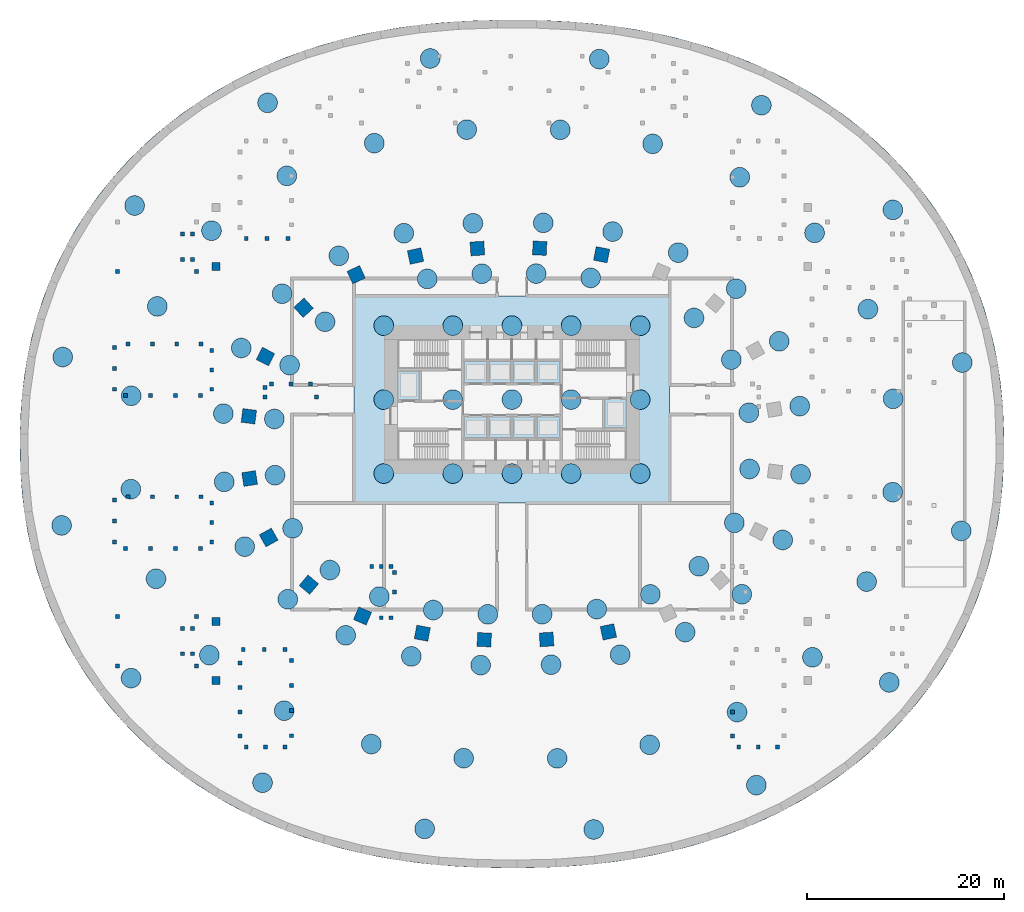
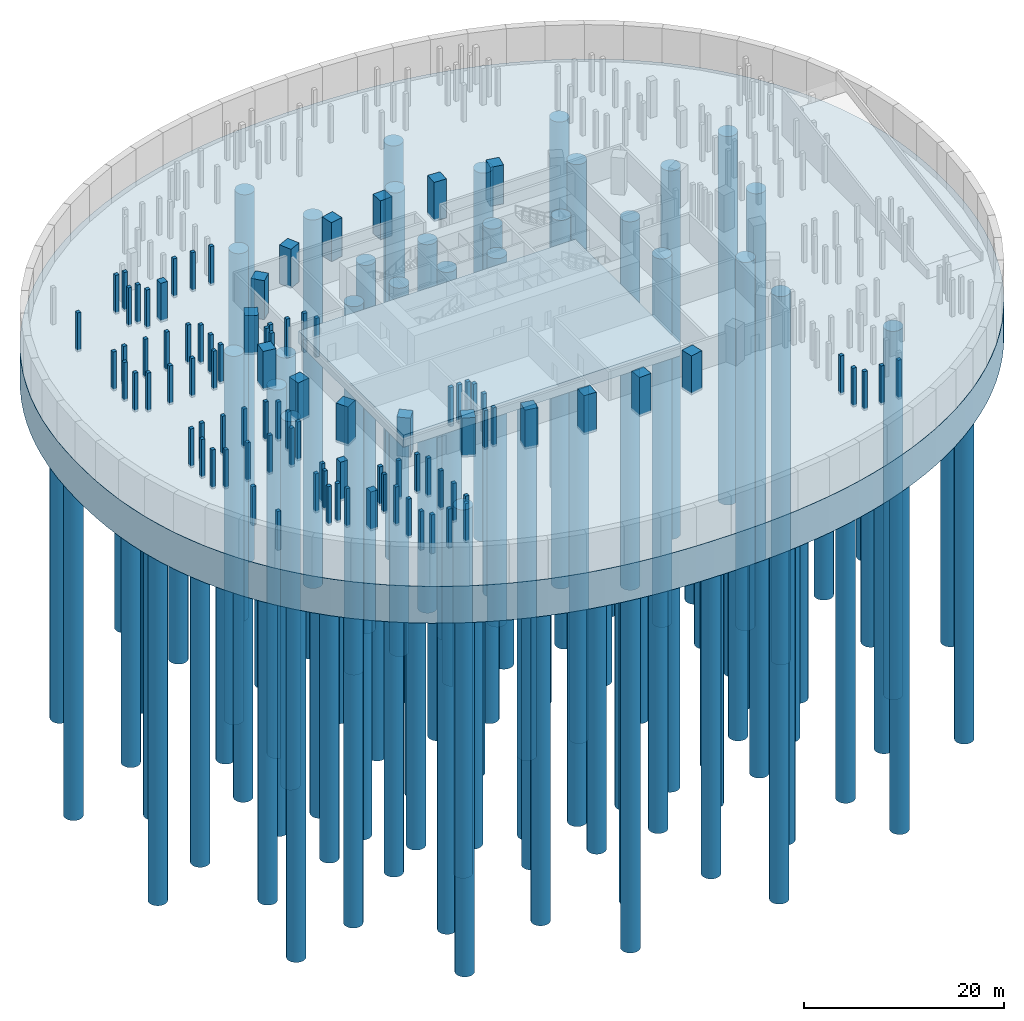
# One storey, part 1 of 10: 101 piles, 96 columns, 2 footings.
"""IFC4 building model written with IfcOpenShell, lengths in metres."""

from ifc_helpers import new_model, si_unit, direction, frame, origin, origin_2d, place, context, subcontext, project, spatial, polyline, rectangle, circle, outline, extrude, material, layer, layer_set, material_profile, profile_set, type_object, element, save


model = new_model("IFC4")

# Units and contexts
model_context = context("Model", 3, precision=1e-05, world=origin(), true_north=direction((0.0, 1.0)))
body_context = subcontext(model_context, "Body", "Model", "MODEL_VIEW")
ifc_project = project(units=[si_unit("LENGTHUNIT", "METRE"), si_unit("AREAUNIT", "SQUARE_METRE"), si_unit("VOLUMEUNIT", "CUBIC_METRE"), si_unit("PLANEANGLEUNIT", "RADIAN"), si_unit("MASSUNIT", "GRAM", prefix="KILO")], contexts=[model_context])

# Site, building, storey
site_placement = place(None, origin())
site = spatial("IfcSite", under=ifc_project, at=site_placement, CompositionType="ELEMENT")
building_placement = place(site_placement, origin())
building = spatial("IfcBuilding", under=site, at=building_placement, Name="Rubra Terraces Tower", CompositionType="ELEMENT")
storey_placement = place(building_placement, frame((0.0, 0.0, -15.0)))
storey = spatial("IfcBuildingStorey", under=building, at=storey_placement, Name="B3", CompositionType="ELEMENT", Elevation=-15.0)

# Piles
ifc_material_1 = material(Name="Concrete C40", Category="concrete")
ifc_material_profile_1 = material_profile(ifc_material_1, circle(Radius=1.0, at=origin_2d()), Name="BORED PILE D2000")
ifc_profile_set_1 = profile_set([ifc_material_profile_1], Name="Concrete C40")
pile_type = type_object("IfcPileType", Name="BORED PILE D2000", PredefinedType="BORED", material=ifc_profile_set_1)
for number, where, z_axis, x_axis, name in (
    (1, (-13.0, -3.0, -6.25), (0.0, 0.0, -1.0), (1.0, 0.0, 0.0), "pile-001"),
    (2, (-13.0, 4.5, -6.25), (0.0, 0.0, -1.0), (1.0, 0.0, 0.0), "pile-002"),
    (3, (-13.0, 12.0, -6.25), (0.0, 0.0, -1.0), (1.0, 0.0, 0.0), "pile-003"),
    (4, (-6.0, -3.0, -6.25), (0.0, 0.0, -1.0), (1.0, 0.0, 0.0), "pile-004"),
    (5, (-6.0, 4.5, -6.25), (0.0, 0.0, -1.0), (1.0, 0.0, 0.0), "pile-005"),
    (6, (-6.0, 12.0, -6.25), (0.0, 0.0, -1.0), (1.0, 0.0, 0.0), "pile-006"),
    (7, (0.0, -3.0, -6.25), (0.0, 0.0, -1.0), (1.0, 0.0, 0.0), "pile-007"),
    (8, (0.0, 4.5, -6.25), (0.0, 0.0, -1.0), (1.0, 0.0, 0.0), "pile-008"),
    (9, (0.0, 12.0, -6.25), (0.0, 0.0, -1.0), (1.0, 0.0, 0.0), "pile-009"),
    (10, (6.0, -3.0, -6.25), (0.0, 0.0, -1.0), (1.0, 0.0, 0.0), "pile-010"),
    (11, (6.0, 4.5, -6.25), (0.0, 0.0, -1.0), (1.0, 0.0, 0.0), "pile-011"),
    (12, (6.0, 12.0, -6.25), (0.0, 0.0, -1.0), (1.0, 0.0, 0.0), "pile-012"),
    (13, (13.0, -3.0, -6.25), (0.0, 0.0, -1.0), (1.0, 0.0, 0.0), "pile-013"),
    (14, (13.0, 4.5, -6.25), (0.0, 0.0, -1.0), (1.0, 0.0, 0.0), "pile-014"),
    (15, (13.0, 12.0, -6.25), (0.0, 0.0, -1.0), (1.0, 0.0, 0.0), "pile-015"),
    (16, (24.027099609375, 3.1640625, -4.75), (0.0, 0.0, -1.0), (1.0, 0.0, 0.0), "pile-016"),
    (17, (29.18310546875, 3.842041015625, -4.75), (0.0, 0.0, -1.0), (1.0, 0.0, 0.0), "pile-017"),
    (18, (22.2490234375, 8.550048828125, -4.75), (0.0, 0.0, -1.0), (1.0, 0.0, 0.0), "pile-018"),
    (19, (27.10302734375, 10.416015625, -4.75), (0.0, 0.0, -1.0), (1.0, 0.0, 0.0), "pile-019"),
    (20, (18.462890625, 12.785888671875, -4.75), (0.0, 0.0, -1.0), (1.0, 0.0, 0.0), "pile-020"),
    (21, (22.737060546875, 15.74609375, -4.75), (0.0, 0.0, -1.0), (1.0, 0.0, 0.0), "pile-021"),
    (22, (16.862060546875, 19.403076171875, -4.75), (0.0, 0.0, -1.0), (1.0, 0.0, 0.0), "pile-022"),
    (23, (7.98095703125, 16.842041015625, -4.75), (0.0, 0.0, -1.0), (1.0, 0.0, 0.0), "pile-023"),
    (24, (10.20703125, 21.5419921875, -4.75), (0.0, 0.0, -1.0), (1.0, 0.0, 0.0), "pile-024"),
    (25, (2.447021484375, 17.280029296875, -4.75), (0.0, 0.0, -1.0), (1.0, 0.0, 0.0), "pile-025"),
    (26, (3.175048828125, 22.427978515625, -4.75), (0.0, 0.0, -1.0), (1.0, 0.0, 0.0), "pile-026"),
    (27, (-3.055908203125, 17.263916015625, -4.75), (0.0, 0.0, -1.0), (1.0, 0.0, 0.0), "pile-027"),
    (28, (-3.9619140625, 22.384033203125, -4.75), (0.0, 0.0, -1.0), (1.0, 0.0, 0.0), "pile-028"),
    (29, (-8.593017578125, 16.7451171875, -4.75), (0.0, 0.0, -1.0), (1.0, 0.0, 0.0), "pile-029"),
    (30, (-10.967041015625, 21.37109375, -4.75), (0.0, 0.0, -1.0), (1.0, 0.0, 0.0), "pile-030"),
    (31, (-17.56005859375, 19.077880859375, -4.75), (0.0, 0.0, -1.0), (1.0, 0.0, 0.0), "pile-031"),
    (32, (-18.958984375, 12.39404296875, -4.75), (0.0, 0.0, -1.0), (1.0, 0.0, 0.0), "pile-032"),
    (33, (-23.31103515625, 15.239990234375, -4.75), (0.0, 0.0, -1.0), (1.0, 0.0, 0.0), "pile-033"),
    (34, (-22.552978515625, 7.9970703125, -4.75), (0.0, 0.0, -1.0), (1.0, 0.0, 0.0), "pile-034"),
    (35, (-27.452880859375, 9.735107421875, -4.75), (0.0, 0.0, -1.0), (1.0, 0.0, 0.0), "pile-035"),
    (36, (-24.097900390625, 2.535888671875, -4.75), (0.0, 0.0, -1.0), (1.0, 0.0, 0.0), "pile-036"),
    (37, (-29.27001953125, 3.080078125, -4.75), (0.0, 0.0, -1.0), (1.0, 0.0, 0.0), "pile-037"),
    (38, (-24.027099609375, -3.1640625, -4.75), (0.0, 0.0, -1.0), (1.0, 0.0, 0.0), "pile-038"),
    (39, (-29.18310546875, -3.842041015625, -4.75), (0.0, 0.0, -1.0), (1.0, 0.0, 0.0), "pile-039"),
    (40, (-22.2490234375, -8.550048828125, -4.75), (0.0, 0.0, -1.0), (1.0, 0.0, 0.0), "pile-040"),
    (41, (-27.10302734375, -10.416015625, -4.75), (0.0, 0.0, -1.0), (1.0, 0.0, 0.0), "pile-041"),
    (42, (-18.462890625, -12.785888671875, -4.75), (0.0, 0.0, -1.0), (1.0, 0.0, 0.0), "pile-042"),
    (43, (-22.737060546875, -15.74609375, -4.75), (0.0, 0.0, -1.0), (1.0, 0.0, 0.0), "pile-043"),
    (44, (-13.451904296875, -15.47900390625, -4.75), (0.0, 0.0, -1.0), (1.0, 0.0, 0.0), "pile-044"),
    (45, (-16.862060546875, -19.403076171875, -4.75), (0.0, 0.0, -1.0), (1.0, 0.0, 0.0), "pile-045"),
    (46, (-7.98095703125, -16.842041015625, -4.75), (0.0, 0.0, -1.0), (1.0, 0.0, 0.0), "pile-046"),
    (47, (-10.20703125, -21.5419921875, -4.75), (0.0, 0.0, -1.0), (1.0, 0.0, 0.0), "pile-047"),
    (48, (-2.447021484375, -17.280029296875, -4.75), (0.0, 0.0, -1.0), (1.0, 0.0, 0.0), "pile-048"),
    (49, (-3.175048828125, -22.427978515625, -4.75), (0.0, 0.0, -1.0), (1.0, 0.0, 0.0), "pile-049"),
    (50, (3.055908203125, -17.263916015625, -4.75), (0.0, 0.0, -1.0), (1.0, 0.0, 0.0), "pile-050"),
    (51, (3.9619140625, -22.384033203125, -4.75), (0.0, 0.0, -1.0), (1.0, 0.0, 0.0), "pile-051"),
    (52, (8.593017578125, -16.7451171875, -4.75), (0.0, 0.0, -1.0), (1.0, 0.0, 0.0), "pile-052"),
    (53, (10.967041015625, -21.37109375, -4.75), (0.0, 0.0, -1.0), (1.0, 0.0, 0.0), "pile-053"),
    (54, (14.0380859375, -15.251953125, -4.75), (0.0, 0.0, -1.0), (1.0, 0.0, 0.0), "pile-054"),
    (55, (17.56005859375, -19.077880859375, -4.75), (0.0, 0.0, -1.0), (1.0, 0.0, 0.0), "pile-055"),
    (56, (18.958984375, -12.39404296875, -4.75), (0.0, 0.0, -1.0), (1.0, 0.0, 0.0), "pile-056"),
    (57, (23.31103515625, -15.239990234375, -4.75), (0.0, 0.0, -1.0), (1.0, 0.0, 0.0), "pile-057"),
    (58, (22.552978515625, -7.9970703125, -4.75), (0.0, 0.0, -1.0), (1.0, 0.0, 0.0), "pile-058"),
    (59, (27.452880859375, -9.735107421875, -4.75), (0.0, 0.0, -1.0), (1.0, 0.0, 0.0), "pile-059"),
    (60, (24.097900390625, -2.535888671875, -4.75), (0.0, 0.0, -1.0), (1.0, 0.0, 0.0), "pile-060"),
    (61, (29.27001953125, -3.080078125, -4.75), (0.0, 0.0, -1.0), (1.0, 0.0, 0.0), "pile-061"),
    (62, (38.613037109375, -4.887939453125, -4.75), (0.0, 0.0, -1.0), (1.0, 0.0, 0.0), "pile-062"),
    (63, (35.968017578125, -13.9541015625, -4.75), (0.0, 0.0, -1.0), (1.0, 0.0, 0.0), "pile-063"),
    (64, (30.47412109375, -21.633056640625, -4.75), (0.0, 0.0, -1.0), (1.0, 0.0, 0.0), "pile-064"),
    (65, (22.826904296875, -27.19091796875, -4.75), (0.0, 0.0, -1.0), (1.0, 0.0, 0.0), "pile-065"),
    (66, (13.962890625, -30.509033203125, -4.75), (0.0, 0.0, -1.0), (1.0, 0.0, 0.0), "pile-066"),
    (67, (4.5869140625, -31.8798828125, -4.75), (0.0, 0.0, -1.0), (1.0, 0.0, 0.0), "pile-067"),
    (68, (-4.89697265625, -31.861083984375, -4.75), (0.0, 0.0, -1.0), (1.0, 0.0, 0.0), "pile-068"),
    (69, (-14.263916015625, -30.43408203125, -4.75), (0.0, 0.0, -1.0), (1.0, 0.0, 0.0), "pile-069"),
    (70, (-23.10302734375, -27.049072265625, -4.75), (0.0, 0.0, -1.0), (1.0, 0.0, 0.0), "pile-070"),
    (71, (-30.68896484375, -21.409912109375, -4.75), (0.0, 0.0, -1.0), (1.0, 0.0, 0.0), "pile-071"),
    (72, (-36.10107421875, -13.673095703125, -4.75), (0.0, 0.0, -1.0), (1.0, 0.0, 0.0), "pile-072"),
    (73, (-38.654052734375, -4.580078125, -4.75), (0.0, 0.0, -1.0), (1.0, 0.0, 0.0), "pile-073"),
    (74, (-38.613037109375, 4.887939453125, -4.75), (0.0, 0.0, -1.0), (1.0, 0.0, 0.0), "pile-074"),
    (75, (-35.968017578125, 13.9541015625, -4.75), (0.0, 0.0, -1.0), (1.0, 0.0, 0.0), "pile-075"),
    (76, (-30.47412109375, 21.633056640625, -4.75), (0.0, 0.0, -1.0), (1.0, 0.0, 0.0), "pile-076"),
    (77, (-22.826904296875, 27.19091796875, -4.75), (0.0, 0.0, -1.0), (1.0, 0.0, 0.0), "pile-077"),
    (78, (-13.962890625, 30.509033203125, -4.75), (0.0, 0.0, -1.0), (1.0, 0.0, 0.0), "pile-078"),
    (79, (-4.5869140625, 31.8798828125, -4.75), (0.0, 0.0, -1.0), (1.0, 0.0, 0.0), "pile-079"),
    (80, (4.89697265625, 31.861083984375, -4.75), (0.0, 0.0, -1.0), (1.0, 0.0, 0.0), "pile-080"),
    (81, (14.263916015625, 30.43408203125, -4.75), (0.0, 0.0, -1.0), (1.0, 0.0, 0.0), "pile-081"),
    (82, (23.10302734375, 27.049072265625, -4.75), (0.0, 0.0, -1.0), (1.0, 0.0, 0.0), "pile-082"),
    (83, (30.68896484375, 21.409912109375, -4.75), (0.0, 0.0, -1.0), (1.0, 0.0, 0.0), "pile-083"),
    (84, (36.10107421875, 13.673095703125, -4.75), (0.0, 0.0, -1.0), (1.0, 0.0, 0.0), "pile-084"),
    (85, (38.654052734375, 4.580078125, -4.75), (0.0, 0.0, -1.0), (1.0, 0.0, 0.0), "pile-085"),
    (86, (45.55908203125, -8.818115234375, -4.75), (0.0, 0.0, -1.0), (1.0, 0.0, 0.0), "pile-086"),
    (87, (38.26904296875, -24.18310546875, -4.75), (0.0, 0.0, -1.0), (1.0, 0.0, 0.0), "pile-087"),
    (88, (24.785888671875, -34.597900390625, -4.75), (0.0, 0.0, -1.0), (1.0, 0.0, 0.0), "pile-088"),
    (89, (8.291015625, -39.096923828125, -4.75), (0.0, 0.0, -1.0), (1.0, 0.0, 0.0), "pile-089"),
    (90, (-8.85595703125, -39.033935546875, -4.75), (0.0, 0.0, -1.0), (1.0, 0.0, 0.0), "pile-090"),
    (91, (-25.298095703125, -34.35205078125, -4.75), (0.0, 0.0, -1.0), (1.0, 0.0, 0.0), "pile-091"),
    (92, (-38.631103515625, -23.743896484375, -4.75), (0.0, 0.0, -1.0), (1.0, 0.0, 0.0), "pile-092"),
    (93, (-45.673095703125, -8.260009765625, -4.75), (0.0, 0.0, -1.0), (1.0, 0.0, 0.0), "pile-093"),
    (94, (-45.55908203125, 8.818115234375, -4.75), (0.0, 0.0, -1.0), (1.0, 0.0, 0.0), "pile-094"),
    (95, (-38.26904296875, 24.18310546875, -4.75), (0.0, 0.0, -1.0), (1.0, 0.0, 0.0), "pile-095"),
    (96, (-24.785888671875, 34.597900390625, -4.75), (0.0, 0.0, -1.0), (1.0, 0.0, 0.0), "pile-096"),
    (97, (-8.291015625, 39.096923828125, -4.75), (0.0, 0.0, -1.0), (1.0, 0.0, 0.0), "pile-097"),
    (98, (8.85595703125, 39.033935546875, -4.75), (0.0, 0.0, -1.0), (1.0, 0.0, 0.0), "pile-098"),
    (99, (25.298095703125, 34.35205078125, -4.75), (0.0, 0.0, -1.0), (1.0, 0.0, 0.0), "pile-099"),
    (100, (38.631103515625, 23.743896484375, -4.75), (0.0, 0.0, -1.0), (1.0, 0.0, 0.0), "pile-100"),
    (101, (45.673095703125, 8.260009765625, -4.75), (0.0, 0.0, -1.0), (1.0, 0.0, 0.0), "pile-101"),
):
    element("IfcPile", number, at=place(storey_placement, frame(where, z_axis=z_axis, x_axis=x_axis)), inside=storey, type_object=pile_type, Name=name, PredefinedType="BORED", context=body_context, shape_type="SweptSolid", body=[
        extrude(circle(Radius=1.0, at=origin_2d()), origin(), (0.0, 0.0, 1.0), 45.0),
    ])

# Footings
ifc_layer_1 = layer(ifc_material_1, 4.5)
ifc_layer_set_1 = layer_set([ifc_layer_1], Name="Concrete C40")
footing_type_1 = type_object("IfcFootingType", Name="RAFT", PredefinedType="USERDEFINED", material=ifc_layer_set_1)
footing_1_placement = place(storey_placement, frame((0.0, 0.0, -4.75)))
element("IfcFooting", 102, at=footing_1_placement, inside=storey, type_object=footing_type_1, Name="footing-raft", ObjectType="RAFT", PredefinedType="USERDEFINED", context=body_context, shape_type="SweptSolid", body=[
    extrude(outline(polyline([(49.89990234375, 0.0), (49.87109375, 1.991943359375), (49.76611328125, 3.98193359375), (49.575927734375, 5.965087890625), (49.297119140625, 7.93798828125), (48.924072265625, 9.89501953125), (48.4560546875, 11.8310546875), (47.89208984375, 13.741943359375), (47.23193359375, 15.6220703125), (46.47705078125, 17.466064453125), (45.6279296875, 19.26806640625), (44.68701171875, 21.02490234375), (43.656982421875, 22.72998046875), (42.541015625, 24.3798828125), (41.342041015625, 25.970947265625), (40.06298828125, 27.4990234375), (38.708984375, 28.9609375), (37.284912109375, 30.35400390625), (35.7939453125, 31.675048828125), (34.241943359375, 32.924072265625), (32.632080078125, 34.097900390625), (30.969970703125, 35.196044921875), (29.259033203125, 36.218017578125), (27.506103515625, 37.1640625), (25.712890625, 38.033935546875), (23.885986328125, 38.827880859375), (22.028076171875, 39.547119140625), (20.14306640625, 40.19189453125), (18.23388671875, 40.764892578125), (16.305908203125, 41.26708984375), (14.361083984375, 41.698974609375), (12.403076171875, 42.06494140625), (10.43310546875, 42.364990234375), (8.455078125, 42.60302734375), (6.469970703125, 42.781982421875), (4.48193359375, 42.904052734375), (2.489990234375, 42.97412109375), (0.498046875, 42.9990234375), (-1.493896484375, 42.991943359375), (-3.486083984375, 42.945068359375), (-5.47607421875, 42.84912109375), (-7.462890625, 42.699951171875), (-9.445068359375, 42.491943359375), (-11.4189453125, 42.222900390625), (-13.384033203125, 41.889892578125), (-15.3359375, 41.491943359375), (-17.27294921875, 41.02490234375), (-19.19091796875, 40.488037109375), (-21.087890625, 39.87890625), (-22.9599609375, 39.197021484375), (-24.803955078125, 38.43994140625), (-26.614013671875, 37.60888671875), (-28.387939453125, 36.700927734375), (-30.1201171875, 35.717041015625), (-31.806884765625, 34.656982421875), (-33.443115234375, 33.52001953125), (-35.02490234375, 32.30908203125), (-36.548095703125, 31.02392578125), (-38.006103515625, 29.666015625), (-39.39501953125, 28.238037109375), (-40.7119140625, 26.742919921875), (-41.950927734375, 25.18310546875), (-43.110107421875, 23.56201171875), (-44.18310546875, 21.884033203125), (-45.1689453125, 20.153076171875), (-46.06396484375, 18.373046875), (-46.865966796875, 16.549072265625), (-47.573974609375, 14.68603515625), (-48.18603515625, 12.7900390625), (-48.701904296875, 10.865966796875), (-49.1220703125, 8.9189453125), (-49.447998046875, 6.952880859375), (-49.681884765625, 4.97509765625), (-49.827880859375, 2.988037109375), (-49.89404296875, 0.99609375), (-49.89404296875, -0.99609375), (-49.827880859375, -2.988037109375), (-49.681884765625, -4.97509765625), (-49.447998046875, -6.952880859375), (-49.1220703125, -8.9189453125), (-48.701904296875, -10.865966796875), (-48.18603515625, -12.7900390625), (-47.573974609375, -14.68603515625), (-46.865966796875, -16.549072265625), (-46.06396484375, -18.373046875), (-45.1689453125, -20.153076171875), (-44.18310546875, -21.884033203125), (-43.110107421875, -23.56201171875), (-41.950927734375, -25.18310546875), (-40.7119140625, -26.742919921875), (-39.39501953125, -28.238037109375), (-38.006103515625, -29.666015625), (-36.548095703125, -31.02392578125), (-35.02490234375, -32.30908203125), (-33.443115234375, -33.52001953125), (-31.806884765625, -34.656982421875), (-30.1201171875, -35.717041015625), (-28.387939453125, -36.700927734375), (-26.614013671875, -37.60888671875), (-24.803955078125, -38.43994140625), (-22.9599609375, -39.197021484375), (-21.087890625, -39.87890625), (-19.19091796875, -40.488037109375), (-17.27294921875, -41.02490234375), (-15.3359375, -41.491943359375), (-13.384033203125, -41.889892578125), (-11.4189453125, -42.222900390625), (-9.445068359375, -42.491943359375), (-7.462890625, -42.699951171875), (-5.47607421875, -42.84912109375), (-3.486083984375, -42.945068359375), (-1.493896484375, -42.991943359375), (0.498046875, -42.9990234375), (2.489990234375, -42.97412109375), (4.48193359375, -42.904052734375), (6.469970703125, -42.781982421875), (8.455078125, -42.60302734375), (10.43310546875, -42.364990234375), (12.403076171875, -42.06494140625), (14.361083984375, -41.698974609375), (16.305908203125, -41.26708984375), (18.23388671875, -40.764892578125), (20.14306640625, -40.19189453125), (22.028076171875, -39.547119140625), (23.885986328125, -38.827880859375), (25.712890625, -38.033935546875), (27.506103515625, -37.1640625), (29.259033203125, -36.218017578125), (30.969970703125, -35.196044921875), (32.632080078125, -34.097900390625), (34.241943359375, -32.924072265625), (35.7939453125, -31.675048828125), (37.284912109375, -30.35400390625), (38.708984375, -28.9609375), (40.06298828125, -27.4990234375), (41.342041015625, -25.970947265625), (42.541015625, -24.3798828125), (43.656982421875, -22.72998046875), (44.68701171875, -21.02490234375), (45.6279296875, -19.26806640625), (46.47705078125, -17.466064453125), (47.23193359375, -15.6220703125), (47.89208984375, -13.741943359375), (48.4560546875, -11.8310546875), (48.924072265625, -9.89501953125), (49.297119140625, -7.93798828125), (49.575927734375, -5.965087890625), (49.76611328125, -3.98193359375), (49.87109375, -1.991943359375), (49.89990234375, 0.0)])), origin(), (0.0, 0.0, 1.0), 4.5),
])
ifc_layer_2 = layer(ifc_material_1, 1.5)
ifc_layer_set_2 = layer_set([ifc_layer_2], Name="Concrete C40")
footing_type_2 = type_object("IfcFootingType", Name="RAFT CORE THICKENING", PredefinedType="USERDEFINED", material=ifc_layer_set_2)
footing_2_placement = place(storey_placement, frame((0.0, 0.0, -6.25)))
element("IfcFooting", 103, at=footing_2_placement, inside=storey, type_object=footing_type_2, Name="footing-raft-core", ObjectType="RAFT", PredefinedType="USERDEFINED", context=body_context, shape_type="SweptSolid", body=[
    extrude(outline(polyline([(16.0, -6.0), (16.0, 15.0), (-16.0, 15.0), (-16.0, -6.0), (16.0, -6.0)])), origin(), (0.0, 0.0, 1.0), 1.5),
])

# Columns
ifc_material_2 = material(Name="Concrete C50", Category="concrete")
ifc_material_profile_2 = material_profile(ifc_material_2, rectangle(XDim=0.800048828125, YDim=0.800048828125, at=origin_2d()), Name="RC 800x800")
ifc_profile_set_2 = profile_set([ifc_material_profile_2], Name="Concrete C50")
column_type_1 = type_object("IfcColumnType", Name="BASEMENT COLUMN RC 800x800 C50", PredefinedType="COLUMN", material=ifc_profile_set_2)
for number, where, z_axis, x_axis, name in (
    (104, (-30.0, -24.0, -0.25), (0.0, 0.0, 1.0), (1.0, 0.0, 0.0), "column-B3-grid-001"),
    (105, (-30.0, -18.0, -0.25), (0.0, 0.0, 1.0), (1.0, 0.0, 0.0), "column-B3-grid-002"),
    (106, (-30.0, 18.0, -0.25), (0.0, 0.0, 1.0), (1.0, 0.0, 0.0), "column-B3-grid-003"),
):
    element("IfcColumn", number, at=place(storey_placement, frame(where, z_axis=z_axis, x_axis=x_axis)), inside=storey, type_object=column_type_1, Name=name, PredefinedType="COLUMN", context=body_context, shape_type="SweptSolid", body=[
        extrude(rectangle(XDim=0.800048828125, YDim=0.800048828125, at=origin_2d()), origin(), (0.0, 0.0, 1.0), 4.75),
    ])
ifc_material_3 = material(Name="Concrete C40/50", Category="concrete")
ifc_material_profile_3 = material_profile(ifc_material_3, rectangle(XDim=0.39990234375, YDim=0.39990234375, at=origin_2d()), Name="RC 400x400")
ifc_profile_set_3 = profile_set([ifc_material_profile_3], Name="Concrete C40/50")
column_type_2 = type_object("IfcColumnType", Name="Pavilion column RC 400 x 400", PredefinedType="COLUMN", material=ifc_profile_set_3)
for number, where, z_axis, x_axis, name in (
    (107, (-40.0, 17.5, -0.25), (0.0, 0.0, 1.0), (1.0, 0.0, 0.0), "Pavilion SP2 column 1"),
    (108, (-32.0, 17.5, -0.25), (0.0, 0.0, 1.0), (1.0, 0.0, 0.0), "Pavilion SP2 column 2"),
    (109, (-33.419921875, 18.72509765625, -0.25), (0.0, 0.0, 1.0), (1.0, 0.0, 0.0), "Pavilion SP2 landing column 1"),
    (110, (-32.419921875, 18.72509765625, -0.25), (0.0, 0.0, 1.0), (1.0, 0.0, 0.0), "Pavilion SP2 landing column 2"),
    (111, (-32.419921875, 21.27490234375, -0.25), (0.0, 0.0, 1.0), (1.0, 0.0, 0.0), "Pavilion SP2 landing column 3"),
    (112, (-33.419921875, 21.27490234375, -0.25), (0.0, 0.0, 1.0), (1.0, 0.0, 0.0), "Pavilion SP2 landing column 4"),
    (113, (-40.0, -22.5, -0.25), (0.0, 0.0, 1.0), (1.0, 0.0, 0.0), "Pavilion SP3 column 1"),
    (114, (-32.0, -22.5, -0.25), (0.0, 0.0, 1.0), (1.0, 0.0, 0.0), "Pavilion SP3 column 2"),
    (115, (-32.0, -17.5, -0.25), (0.0, 0.0, 1.0), (1.0, 0.0, 0.0), "Pavilion SP3 column 3"),
    (116, (-40.0, -17.5, -0.25), (0.0, 0.0, 1.0), (1.0, 0.0, 0.0), "Pavilion SP3 column 4"),
    (117, (-33.419921875, -21.27490234375, -0.25), (0.0, 0.0, 1.0), (1.0, 0.0, 0.0), "Pavilion SP3 landing column 1"),
    (118, (-32.419921875, -21.27490234375, -0.25), (0.0, 0.0, 1.0), (1.0, 0.0, 0.0), "Pavilion SP3 landing column 2"),
    (119, (-32.419921875, -18.72509765625, -0.25), (0.0, 0.0, 1.0), (1.0, 0.0, 0.0), "Pavilion SP3 landing column 3"),
    (120, (-33.419921875, -18.72509765625, -0.25), (0.0, 0.0, 1.0), (1.0, 0.0, 0.0), "Pavilion SP3 landing column 4"),
):
    element("IfcColumn", number, at=place(storey_placement, frame(where, z_axis=z_axis, x_axis=x_axis)), inside=storey, type_object=column_type_2, Name=name, PredefinedType="COLUMN", context=body_context, shape_type="SweptSolid", body=[
        extrude(rectangle(XDim=0.39990234375, YDim=0.39990234375, at=origin_2d()), origin(), (0.0, 0.0, 1.0), 4.75),
    ])
ifc_material_4 = material(Name="Concrete C60", Category="concrete")
ifc_material_profile_4 = material_profile(ifc_material_4, rectangle(XDim=1.39990234375, YDim=1.39990234375, at=origin_2d()), Name="RC 1400x1400")
ifc_profile_set_4 = profile_set([ifc_material_profile_4], Name="Concrete C60")
column_type_3 = type_object("IfcColumnType", Name="RING COLUMN RC 1400x1400 C60", PredefinedType="COLUMN", material=ifc_profile_set_4)
for number, where, z_axis, x_axis, name in (
    (121, (9.093994140625, 19.19189453125, -0.25), (0.0, 0.0, 1.0), (-0.981430410798, 0.191818530806, 0.0), "column-B3-ring-05"),
    (122, (2.81103515625, 19.85400390625, -0.25), (0.0, 0.0, 1.0), (-0.99874501614, 0.050083857035, 0.0), "column-B3-ring-06"),
    (123, (-3.509033203125, 19.823974609375, -0.25), (0.0, 0.0, 1.0), (-0.9980076013, -0.063093801177, 0.0), "column-B3-ring-07"),
    (124, (-9.780029296875, 19.05810546875, -0.25), (0.0, 0.0, 1.0), (-0.977386186482, -0.211462153764, 0.0), "column-B3-ring-08"),
    (125, (-15.799072265625, 17.1650390625, -0.25), (0.0, 0.0, 1.0), (-0.907952363445, -0.419073389413, 0.0), "column-B3-ring-09"),
    (126, (-21.135009765625, 13.81689453125, -0.25), (0.0, 0.0, 1.0), (-0.742675944539, -0.66965098477, 0.0), "column-B3-ring-10"),
    (127, (-25.0029296875, 8.865966796875, -0.25), (0.0, 0.0, 1.0), (-0.450098906028, -0.892978709036, 0.0), "column-B3-ring-11"),
    (128, (-26.68408203125, 2.80810546875, -0.25), (0.0, 0.0, 1.0), (-0.128444510405, -0.991716697322, 0.0), "column-B3-ring-12"),
    (129, (-26.60498046875, -3.5029296875, -0.25), (0.0, 0.0, 1.0), (0.161234051287, -0.986916197408, 0.0), "column-B3-ring-13"),
    (130, (-24.676025390625, -9.48291015625, -0.25), (0.0, 0.0, 1.0), (0.487226597714, -0.873275582208, 0.0), "column-B3-ring-14"),
    (131, (-20.60009765625, -14.26611328125, -0.25), (0.0, 0.0, 1.0), (0.767209547574, -0.641396531104, 0.0), "column-B3-ring-15"),
    (132, (-15.156982421875, -17.44091796875, -0.25), (0.0, 0.0, 1.0), (0.919293738002, -0.393572132232, 0.0), "column-B3-ring-16"),
    (133, (-9.093994140625, -19.19189453125, -0.25), (0.0, 0.0, 1.0), (0.981430410798, -0.191818530806, 0.0), "column-B3-ring-17"),
    (134, (-2.81103515625, -19.85400390625, -0.25), (0.0, 0.0, 1.0), (0.99874501614, -0.050083857035, 0.0), "column-B3-ring-18"),
    (135, (3.509033203125, -19.823974609375, -0.25), (0.0, 0.0, 1.0), (0.9980076013, 0.063093801177, 0.0), "column-B3-ring-19"),
    (136, (9.780029296875, -19.05810546875, -0.25), (0.0, 0.0, 1.0), (0.977386186482, 0.211462153764, 0.0), "column-B3-ring-20"),
):
    element("IfcColumn", number, at=place(storey_placement, frame(where, z_axis=z_axis, x_axis=x_axis)), inside=storey, type_object=column_type_3, Name=name, PredefinedType="COLUMN", context=body_context, shape_type="SweptSolid", body=[
        extrude(rectangle(XDim=1.39990234375, YDim=1.39990234375, at=origin_2d()), origin(), (0.0, 0.0, 1.0), 4.75),
    ])
ifc_material_profile_5 = material_profile(ifc_material_2, rectangle(XDim=0.39990234375, YDim=0.39990234375, at=origin_2d()), Name="RC 400x400")
ifc_profile_set_5 = profile_set([ifc_material_profile_5], Name="Concrete C50")
column_type_4 = type_object("IfcColumnType", Name="STAIR SUPPORT COLUMN RC 400x400 C50", PredefinedType="COLUMN", material=ifc_profile_set_5)
for number, where, z_axis, x_axis, name in (
    (137, (-20.449951171875, 6.0849609375, -0.25), (0.0, 0.0, 1.0), (1.0, 0.0, 0.0), "column-B3-ps-support-01"),
    (138, (-24.39990234375, 6.0849609375, -0.25), (0.0, 0.0, 1.0), (1.0, 0.0, 0.0), "column-B3-ps-support-02"),
    (139, (-22.425048828125, 6.0849609375, -0.25), (0.0, 0.0, 1.0), (1.0, 0.0, 0.0), "column-B3-ps-support-03"),
    (140, (-25.02490234375, 5.7099609375, -0.25), (0.0, 0.0, 1.0), (1.0, 0.0, 0.0), "column-B3-ps-support-04"),
    (141, (-25.02490234375, 4.7451171875, -0.25), (0.0, 0.0, 1.0), (1.0, 0.0, 0.0), "column-B3-ps-support-05"),
    (142, (-19.824951171875, 4.7451171875, -0.25), (0.0, 0.0, 1.0), (1.0, 0.0, 0.0), "column-B3-ps-support-06"),
    (143, (-11.9150390625, -13.050048828125, -0.25), (0.0, 0.0, 1.0), (1.0, 0.0, 0.0), "column-B3-ps-support-14"),
    (144, (-11.9150390625, -15.02490234375, -0.25), (0.0, 0.0, 1.0), (1.0, 0.0, 0.0), "column-B3-ps-support-15"),
    (145, (-12.2900390625, -17.625, -0.25), (0.0, 0.0, 1.0), (1.0, 0.0, 0.0), "column-B3-ps-support-16"),
    (146, (-13.2548828125, -17.625, -0.25), (0.0, 0.0, 1.0), (1.0, 0.0, 0.0), "column-B3-ps-support-17"),
    (147, (-14.219970703125, -12.425048828125, -0.25), (0.0, 0.0, 1.0), (1.0, 0.0, 0.0), "column-B3-ps-support-18"),
    (148, (-12.2900390625, -12.425048828125, -0.25), (0.0, 0.0, 1.0), (1.0, 0.0, 0.0), "column-B3-ps-support-19"),
    (149, (-13.2548828125, -12.425048828125, -0.25), (0.0, 0.0, 1.0), (1.0, 0.0, 0.0), "column-B3-ps-support-20"),
    (150, (22.35009765625, -27.1630859375, -0.25), (0.0, 0.0, 1.0), (1.0, 0.0, 0.0), "column-B3-se-support-10"),
    (151, (22.35009765625, -29.626953125, -0.25), (0.0, 0.0, 1.0), (1.0, 0.0, 0.0), "column-B3-se-support-11"),
    (152, (-22.35009765625, -29.590087890625, -0.25), (0.0, 0.0, 1.0), (1.0, 0.0, 0.0), "column-B3-se-support-12"),
    (153, (-22.35009765625, -27.050048828125, -0.25), (0.0, 0.0, 1.0), (1.0, 0.0, 0.0), "column-B3-se-support-13"),
    (154, (-22.35009765625, -24.510009765625, -0.25), (0.0, 0.0, 1.0), (1.0, 0.0, 0.0), "column-B3-se-support-14"),
    (155, (-22.35009765625, -21.969970703125, -0.25), (0.0, 0.0, 1.0), (1.0, 0.0, 0.0), "column-B3-se-support-15"),
    (156, (-23.0, -20.85009765625, -0.25), (0.0, 0.0, 1.0), (1.0, 0.0, 0.0), "column-B3-se-support-16"),
    (157, (-27.25, -20.85009765625, -0.25), (0.0, 0.0, 1.0), (1.0, 0.0, 0.0), "column-B3-se-support-17"),
    (158, (-25.125, -20.85009765625, -0.25), (0.0, 0.0, 1.0), (1.0, 0.0, 0.0), "column-B3-se-support-18"),
    (159, (-27.60009765625, -22.23291015625, -0.25), (0.0, 0.0, 1.0), (1.0, 0.0, 0.0), "column-B3-se-support-19"),
    (160, (-27.60009765625, -24.697021484375, -0.25), (0.0, 0.0, 1.0), (1.0, 0.0, 0.0), "column-B3-se-support-20"),
    (161, (-27.60009765625, -27.1630859375, -0.25), (0.0, 0.0, 1.0), (1.0, 0.0, 0.0), "column-B3-se-support-21"),
    (162, (-27.60009765625, -29.626953125, -0.25), (0.0, 0.0, 1.0), (1.0, 0.0, 0.0), "column-B3-se-support-22"),
    (163, (-26.949951171875, 20.85009765625, -0.25), (0.0, 0.0, 1.0), (1.0, 0.0, 0.0), "column-B3-se-support-27"),
    (164, (-22.699951171875, 20.85009765625, -0.25), (0.0, 0.0, 1.0), (1.0, 0.0, 0.0), "column-B3-se-support-28"),
    (165, (-24.824951171875, 20.85009765625, -0.25), (0.0, 0.0, 1.0), (1.0, 0.0, 0.0), "column-B3-se-support-29"),
    (166, (-31.570068359375, 4.89990234375, -0.25), (0.0, 0.0, 1.0), (1.0, 0.0, 0.0), "column-B3-se-support-75"),
    (167, (-34.110107421875, 4.89990234375, -0.25), (0.0, 0.0, 1.0), (1.0, 0.0, 0.0), "column-B3-se-support-76"),
    (168, (-36.64990234375, 4.89990234375, -0.25), (0.0, 0.0, 1.0), (1.0, 0.0, 0.0), "column-B3-se-support-77"),
    (169, (-39.18994140625, 4.89990234375, -0.25), (0.0, 0.0, 1.0), (1.0, 0.0, 0.0), "column-B3-se-support-78"),
    (170, (-40.31005859375, 5.550048828125, -0.25), (0.0, 0.0, 1.0), (1.0, 0.0, 0.0), "column-B3-se-support-79"),
    (171, (-40.31005859375, 9.800048828125, -0.25), (0.0, 0.0, 1.0), (1.0, 0.0, 0.0), "column-B3-se-support-80"),
    (172, (-40.31005859375, 7.675048828125, -0.25), (0.0, 0.0, 1.0), (1.0, 0.0, 0.0), "column-B3-se-support-81"),
    (173, (-38.927001953125, 10.14990234375, -0.25), (0.0, 0.0, 1.0), (1.0, 0.0, 0.0), "column-B3-se-support-82"),
    (174, (-36.4619140625, 10.14990234375, -0.25), (0.0, 0.0, 1.0), (1.0, 0.0, 0.0), "column-B3-se-support-83"),
    (175, (-33.998046875, 10.14990234375, -0.25), (0.0, 0.0, 1.0), (1.0, 0.0, 0.0), "column-B3-se-support-84"),
    (176, (-31.531982421875, 10.14990234375, -0.25), (0.0, 0.0, 1.0), (1.0, 0.0, 0.0), "column-B3-se-support-85"),
    (177, (-30.449951171875, 9.5, -0.25), (0.0, 0.0, 1.0), (1.0, 0.0, 0.0), "column-B3-se-support-86"),
    (178, (-30.449951171875, 5.550048828125, -0.25), (0.0, 0.0, 1.0), (1.0, 0.0, 0.0), "column-B3-se-support-87"),
    (179, (-30.449951171875, 7.52490234375, -0.25), (0.0, 0.0, 1.0), (1.0, 0.0, 0.0), "column-B3-se-support-88"),
    (180, (-31.570068359375, -10.60009765625, -0.25), (0.0, 0.0, 1.0), (1.0, 0.0, 0.0), "column-B3-se-support-89"),
    (181, (-34.110107421875, -10.60009765625, -0.25), (0.0, 0.0, 1.0), (1.0, 0.0, 0.0), "column-B3-se-support-90"),
    (182, (-36.64990234375, -10.60009765625, -0.25), (0.0, 0.0, 1.0), (1.0, 0.0, 0.0), "column-B3-se-support-91"),
    (183, (-39.18994140625, -10.60009765625, -0.25), (0.0, 0.0, 1.0), (1.0, 0.0, 0.0), "column-B3-se-support-92"),
    (184, (-40.31005859375, -9.949951171875, -0.25), (0.0, 0.0, 1.0), (1.0, 0.0, 0.0), "column-B3-se-support-93"),
    (185, (-40.31005859375, -5.699951171875, -0.25), (0.0, 0.0, 1.0), (1.0, 0.0, 0.0), "column-B3-se-support-94"),
    (186, (-40.31005859375, -7.824951171875, -0.25), (0.0, 0.0, 1.0), (1.0, 0.0, 0.0), "column-B3-se-support-95"),
    (187, (-38.927001953125, -5.35009765625, -0.25), (0.0, 0.0, 1.0), (1.0, 0.0, 0.0), "column-B3-se-support-96"),
    (188, (-36.4619140625, -5.35009765625, -0.25), (0.0, 0.0, 1.0), (1.0, 0.0, 0.0), "column-B3-se-support-97"),
    (189, (-33.998046875, -5.35009765625, -0.25), (0.0, 0.0, 1.0), (1.0, 0.0, 0.0), "column-B3-se-support-98"),
    (190, (-31.531982421875, -5.35009765625, -0.25), (0.0, 0.0, 1.0), (1.0, 0.0, 0.0), "column-B3-se-support-99"),
    (191, (-30.449951171875, -6.0, -0.25), (0.0, 0.0, 1.0), (1.0, 0.0, 0.0), "column-B3-se-support-100"),
    (192, (-30.449951171875, -9.949951171875, -0.25), (0.0, 0.0, 1.0), (1.0, 0.0, 0.0), "column-B3-se-support-101"),
    (193, (-30.449951171875, -7.97509765625, -0.25), (0.0, 0.0, 1.0), (1.0, 0.0, 0.0), "column-B3-se-support-102"),
    (194, (26.949951171875, -30.7099609375, -0.25), (0.0, 0.0, 1.0), (1.0, 0.0, 0.0), "column-B3-se-support-109"),
    (195, (23.0, -30.7099609375, -0.25), (0.0, 0.0, 1.0), (1.0, 0.0, 0.0), "column-B3-se-support-110"),
    (196, (24.97509765625, -30.7099609375, -0.25), (0.0, 0.0, 1.0), (1.0, 0.0, 0.0), "column-B3-se-support-111"),
    (197, (-23.0, -30.7099609375, -0.25), (0.0, 0.0, 1.0), (1.0, 0.0, 0.0), "column-B3-se-support-112"),
    (198, (-26.949951171875, -30.7099609375, -0.25), (0.0, 0.0, 1.0), (1.0, 0.0, 0.0), "column-B3-se-support-113"),
    (199, (-24.97509765625, -30.7099609375, -0.25), (0.0, 0.0, 1.0), (1.0, 0.0, 0.0), "column-B3-se-support-114"),
):
    element("IfcColumn", number, at=place(storey_placement, frame(where, z_axis=z_axis, x_axis=x_axis)), inside=storey, type_object=column_type_4, Name=name, PredefinedType="COLUMN", context=body_context, shape_type="SweptSolid", body=[
        extrude(rectangle(XDim=0.39990234375, YDim=0.39990234375, at=origin_2d()), origin(), (0.0, 0.0, 1.0), 4.75),
    ])

save(model, "model.ifc")
